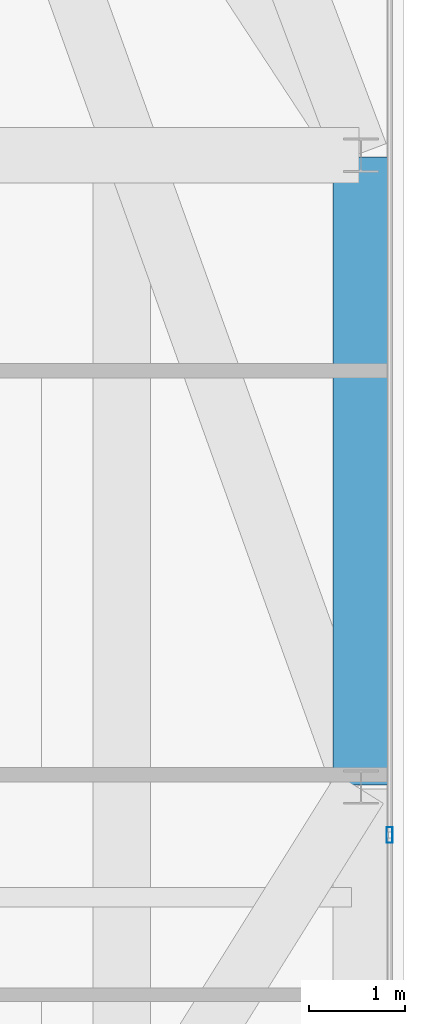
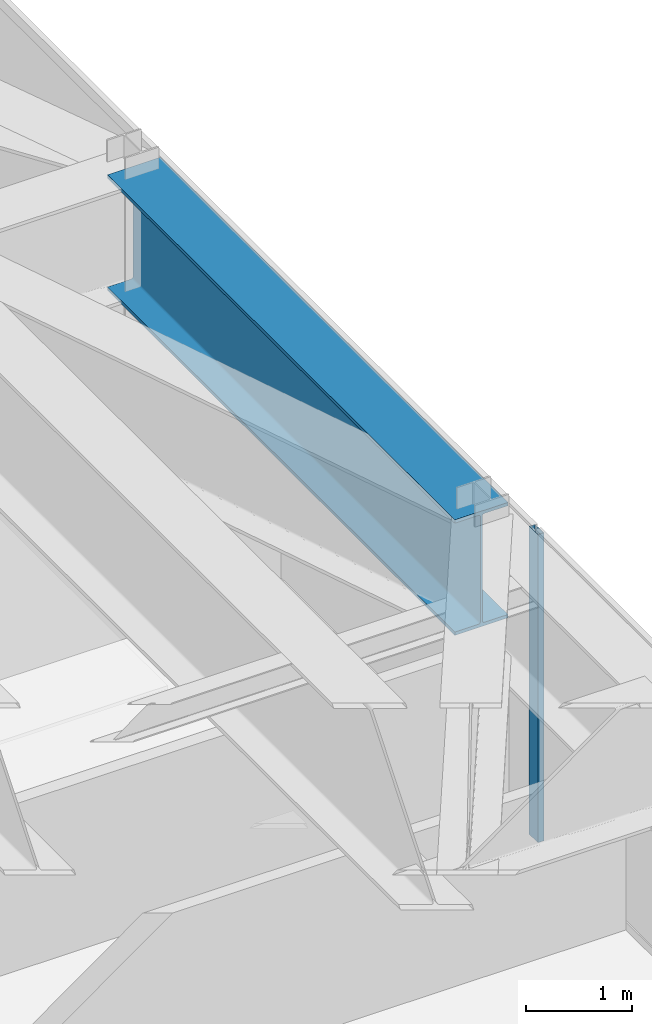
# One storey, part 16 of 23: 1 beam, 1 member, 1 element without a shape of its own.
"""IFC4 building model written with IfcOpenShell, lengths in metres."""

from ifc_helpers import new_model, si_unit, direction, frame, origin, origin_2d, place, context, subcontext, project, spatial, hollow_rectangle, i_section, extrude, source, transform, mapped, material, layer, layer_set, material_profile, profile_set, type_object, type_shapes, element, aggregate, save


model = new_model("IFC4")

# Units and contexts
model_context = context("Model", 3, precision=1e-05, world=origin(), true_north=direction((0.0, 1.0)))
body_context = subcontext(model_context, "Body", "Model", "MODEL_VIEW")
ifc_project = project(units=[si_unit("LENGTHUNIT", "METRE"), si_unit("AREAUNIT", "SQUARE_METRE"), si_unit("VOLUMEUNIT", "CUBIC_METRE"), si_unit("PLANEANGLEUNIT", "RADIAN"), si_unit("MASSUNIT", "GRAM", prefix="KILO")], contexts=[model_context])

# Site, building, storey
site_placement = place(None, origin())
site = spatial("IfcSite", under=ifc_project, at=site_placement, CompositionType="ELEMENT")
building_placement = place(site_placement, origin())
building = spatial("IfcBuilding", under=site, at=building_placement, Name="Varnel Quay Broadcast Tower", CompositionType="ELEMENT")
storey_placement = place(building_placement, frame((0.0, 0.0, 254.60009765625)))
storey = spatial("IfcBuildingStorey", under=building, at=storey_placement, Name="L63", CompositionType="ELEMENT", Elevation=254.60009765625)

# Beam
ifc_material_1 = material(Name="Structural Steel CSA G40.21 350WT", Category="steel")
ifc_material_profile_1 = material_profile(ifc_material_1, i_section(OverallWidth=0.580078125, OverallDepth=1.330078125, WebThickness=0.02197265625, FlangeThickness=0.0380859375, FilletRadius=0.02001953125, at=origin_2d()), Name="WWF1330X535")
ifc_profile_set_1 = profile_set([ifc_material_profile_1], Name="Structural Steel CSA G40.21 350WT")
beam_type = type_object("IfcBeamType", Name="Girder_WWF1330X535", PredefinedType="BEAM", material=ifc_profile_set_1)
shared_shape_1 = source(origin(), body_context, "Body", "SweptSolid", [
    extrude(i_section(OverallWidth=0.580078125, OverallDepth=1.330078125, WebThickness=0.02197265625, FlangeThickness=0.0380859375, FilletRadius=0.02001953125, at=origin_2d()), origin(), (0.0, 0.0, 1.0), 6.56005859375),
])
type_shapes(beam_type, [shared_shape_1])
beam_placement = place(storey_placement, frame((58.050048828125, 29.02001953125, 2.885009765625), z_axis=(0.0, 1.0, 0.0), x_axis=(-1.0, 0.0, 0.0)))
element("IfcBeam", 1, at=beam_placement, inside=storey, type_object=beam_type, Name="L63 East Transfer Spine TC-E2-TC-E3", PredefinedType="BEAM", context=body_context, shape_type="MappedRepresentation", body=[
    mapped(shared_shape_1, transform((0.0, 0.0, 0.0), x_axis=(1.0, 0.0, 0.0), y_axis=(0.0, 1.0, 0.0), z_axis=(0.0, 0.0, 1.0), scale=1.0)),
])

# Curtain wall, member
ifc_material_2 = material(Name="Anodised Bronze Aluminium 6063-T6", Category="aluminium")
ifc_layer = layer(ifc_material_2, 0.18994140625, Name="Anodised Bronze Aluminium 6063-T6")
ifc_layer_set = layer_set([ifc_layer], Name="Anodised Bronze Aluminium 6063-T6")
curtain_wall_type = type_object("IfcCurtainWallType", Name="CW_UpperTower", PredefinedType="NOTDEFINED", material=ifc_layer_set)
curtain_wall_placement = place(storey_placement, origin())
curtain_wall = element("IfcCurtainWall", 2, at=curtain_wall_placement, inside=storey, type_object=curtain_wall_type, Name="L63 East Unitised Curtain Wall", PredefinedType="NOTDEFINED")
ifc_material_profile_2 = material_profile(ifc_material_2, hollow_rectangle(XDim=0.06494140625, YDim=0.1650390625, WallThickness=0.00341796875, at=origin_2d()), Name="ALU65X165X3.5")
ifc_profile_set_2 = profile_set([ifc_material_profile_2], Name="Anodised Bronze Aluminium 6063-T6")
member_type = type_object("IfcMemberType", Name="Mull_CWS-03", PredefinedType="MULLION", material=ifc_profile_set_2)
shared_shape_2 = source(origin(), body_context, "Body", "SweptSolid", [
    extrude(hollow_rectangle(XDim=0.06494140625, YDim=0.1650390625, WallThickness=0.00341796875, at=origin_2d()), origin(), (0.0, 0.0, 1.0), 3.5498046875),
])
type_shapes(member_type, [shared_shape_2])
member_placement = place(storey_placement, frame((58.35009765625, 28.5, 0.0), z_axis=(0.0, 0.0, 1.0), x_axis=(-1.0, 0.0, 0.0)))
member = element("IfcMember", 3, at=member_placement, type_object=member_type, Name="CWS-03 mullion 2", PredefinedType="MULLION", context=body_context, shape_type="MappedRepresentation", body=[
    mapped(shared_shape_2, transform((0.0, 0.0, 0.0), x_axis=(1.0, 0.0, 0.0), y_axis=(0.0, 1.0, 0.0), z_axis=(0.0, 0.0, 1.0), scale=1.0)),
])
aggregate(curtain_wall, [member])

save(model, "model.ifc")
